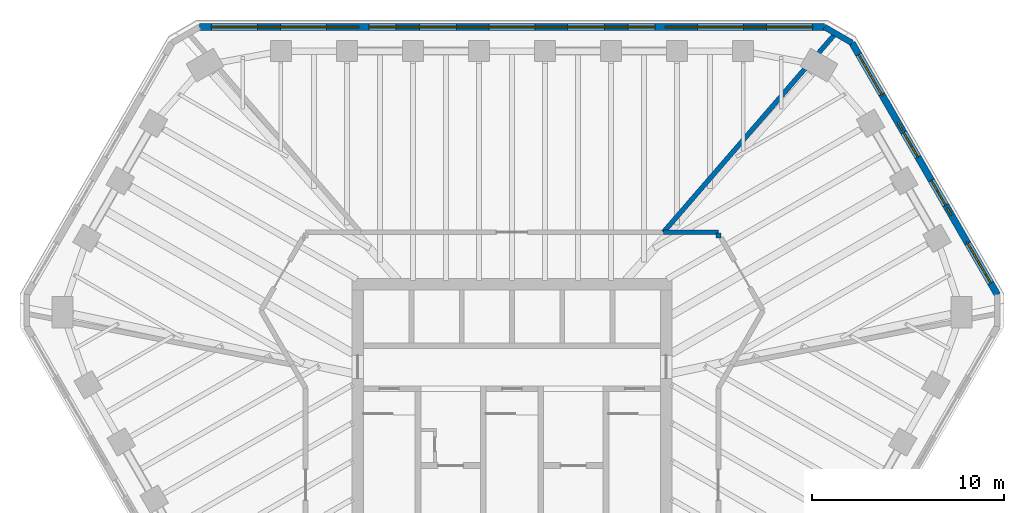
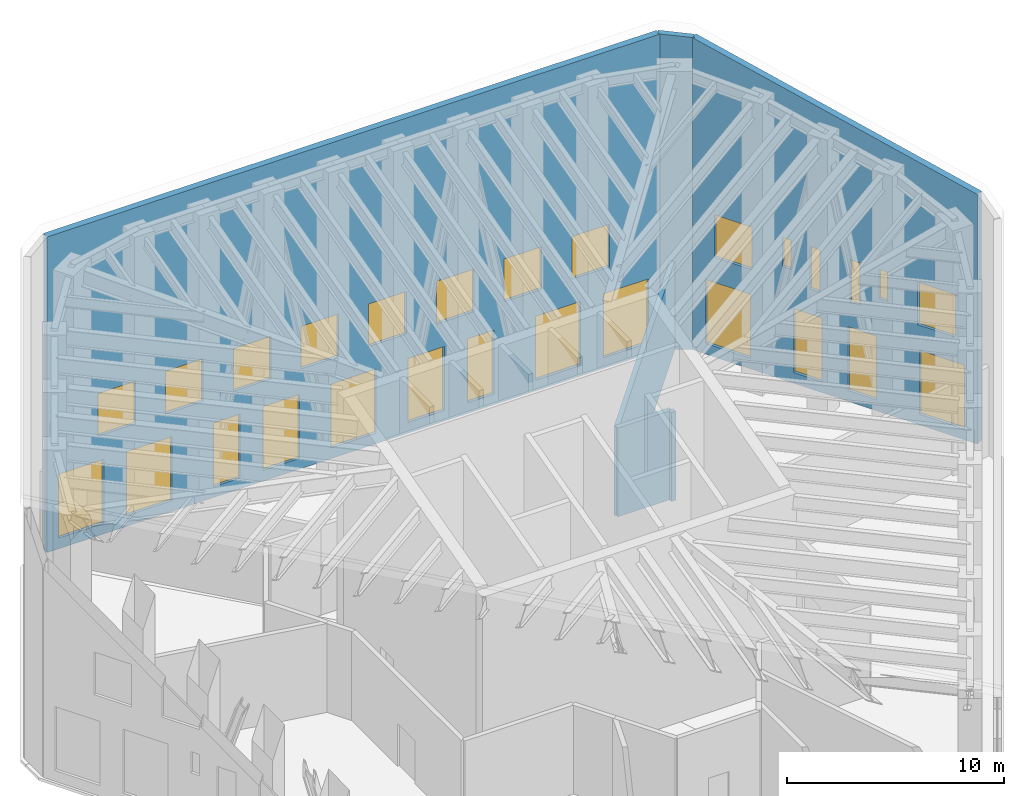
# One storey, part 8 of 9: 27 windows, 6 walls, 27 openings.
"""IFC4 building model written with IfcOpenShell, lengths in metres."""

from ifc_helpers import new_model, si_unit, direction, frame, frame_2d, origin, place, context, subcontext, project, spatial, polyline, rectangle, outline, extrude, material, layer, layer_set, type_object, element, fill, save


model = new_model("IFC4")

# Units and contexts
model_context = context("Model", 3, precision=1e-05, world=origin(), true_north=direction((0.0, 1.0)))
body_context = subcontext(model_context, "Body", "Model", "MODEL_VIEW")
ifc_project = project(units=[si_unit("LENGTHUNIT", "METRE"), si_unit("AREAUNIT", "SQUARE_METRE"), si_unit("VOLUMEUNIT", "CUBIC_METRE"), si_unit("PLANEANGLEUNIT", "RADIAN"), si_unit("MASSUNIT", "GRAM", prefix="KILO")], contexts=[model_context])

# Site, building, storey
site_placement = place(None, origin())
site = spatial("IfcSite", under=ifc_project, at=site_placement, CompositionType="ELEMENT")
building_placement = place(site_placement, origin())
building = spatial("IfcBuilding", under=site, at=building_placement, Name="Sandreach Pilgrim Tower", CompositionType="ELEMENT")
storey_placement = place(building_placement, frame((0.0, 0.0, 298.800048828125)))
storey = spatial("IfcBuildingStorey", under=building, at=storey_placement, Name="L75", CompositionType="ELEMENT", Elevation=298.800048828125)

# Wall, openings, windows
ifc_material_1 = material(Name="Terracotta rainscreen on steel studs", Category="masonry")
ifc_layer_1 = layer(ifc_material_1, 0.35009765625)
ifc_layer_set_1 = layer_set([ifc_layer_1], Name="Crown screen wall")
wall_type_1 = type_object("IfcWallType", Name="Crown screen wall", PredefinedType="SOLIDWALL", material=ifc_layer_set_1)
wall_1_placement = place(storey_placement, frame((-16.29833984375, 19.826416015625, 0.0), z_axis=(0.0, 0.0, 1.0), x_axis=(1.0, 0.0, 0.0)))
wall_1 = element("IfcWall", 1, at=wall_1_placement, inside=storey, type_object=wall_type_1, Name="Crown screen wall L75 N", PredefinedType="SOLIDWALL", context=body_context, shape_type="SweptSolid", body=[
    extrude(outline(polyline([(0.0, 0.0), (32.5966796875, 0.0), (32.5966796875, 17.747802734375), (0.0, 17.747802734375), (0.0, 0.0)])), frame((0.0, 0.175048828125, 0.0), z_axis=(0.0, -1.0, 0.0), x_axis=(1.0, 0.0, 0.0)), (0.0, 0.0, 1.0), 0.35009765625),
])
opening_1_placement = place(wall_1_placement, frame((0.61083984375, 0.0, 0.60009765625)))
opening_1 = element("IfcOpeningElement", 2, at=opening_1_placement, cuts=wall_1, Name="Opening WL2", PredefinedType="OPENING", context=body_context, shape_type="SweptSolid", body=[
    extrude(rectangle(XDim=2.39990234375, YDim=3.60009765625, at=frame_2d((1.199951171875, 1.800048828125))), frame((0.0, 0.18505859375, 0.0), z_axis=(0.0, -1.0, 0.0), x_axis=(1.0, 0.0, 0.0)), (0.0, 0.0, 1.0), 0.3701171875),
])
opening_2_placement = place(wall_1_placement, frame((4.23291015625, 0.0, 0.60009765625)))
opening_2 = element("IfcOpeningElement", 3, at=opening_2_placement, cuts=wall_1, Name="Opening WL2", PredefinedType="OPENING", context=body_context, shape_type="SweptSolid", body=[
    extrude(rectangle(XDim=2.39990234375, YDim=3.60009765625, at=frame_2d((1.199951171875, 1.800048828125))), frame((0.0, 0.18505859375, 0.0), z_axis=(0.0, -1.0, 0.0), x_axis=(1.0, 0.0, 0.0)), (0.0, 0.0, 1.0), 0.3701171875),
])
opening_3_placement = place(wall_1_placement, frame((8.845947265625, 0.0, 0.60107421875)))
opening_3 = element("IfcOpeningElement", 4, at=opening_3_placement, cuts=wall_1, Name="Opening WL2", PredefinedType="OPENING", context=body_context, shape_type="SweptSolid", body=[
    extrude(rectangle(XDim=1.407958984375, YDim=3.59912109375, at=frame_2d((0.7041015625, 1.799560546875))), frame((0.0, 0.18505859375, 0.0), z_axis=(0.0, -1.0, 0.0), x_axis=(1.0, 0.0, 0.0)), (0.0, 0.0, 1.0), 0.3701171875),
])
opening_4_placement = place(wall_1_placement, frame((11.47705078125, 0.0, 0.60107421875)))
opening_4 = element("IfcOpeningElement", 5, at=opening_4_placement, cuts=wall_1, Name="Opening WL2", PredefinedType="OPENING", context=body_context, shape_type="SweptSolid", body=[
    extrude(rectangle(XDim=1.93798828125, YDim=3.59912109375, at=frame_2d((0.968994140625, 1.799560546875))), frame((0.0, 0.18505859375, 0.0), z_axis=(0.0, -1.0, 0.0), x_axis=(1.0, 0.0, 0.0)), (0.0, 0.0, 1.0), 0.3701171875),
])
opening_5_placement = place(wall_1_placement, frame((15.098388671875, 0.0, 0.60009765625)))
opening_5 = element("IfcOpeningElement", 6, at=opening_5_placement, cuts=wall_1, Name="Opening WL2", PredefinedType="OPENING", context=body_context, shape_type="SweptSolid", body=[
    extrude(rectangle(XDim=2.39990234375, YDim=3.60009765625, at=frame_2d((1.199951171875, 1.800048828125))), frame((0.0, 0.18505859375, 0.0), z_axis=(0.0, -1.0, 0.0), x_axis=(1.0, 0.0, 0.0)), (0.0, 0.0, 1.0), 0.3701171875),
])
opening_6_placement = place(wall_1_placement, frame((19.180908203125, 0.0, 0.60107421875)))
opening_6 = element("IfcOpeningElement", 7, at=opening_6_placement, cuts=wall_1, Name="Opening WL2", PredefinedType="OPENING", context=body_context, shape_type="SweptSolid", body=[
    extrude(rectangle(XDim=1.93896484375, YDim=3.59912109375, at=frame_2d((0.969482421875, 1.799560546875))), frame((0.0, 0.18505859375, 0.0), z_axis=(0.0, -1.0, 0.0), x_axis=(1.0, 0.0, 0.0)), (0.0, 0.0, 1.0), 0.3701171875),
])
opening_7_placement = place(wall_1_placement, frame((22.343017578125, 0.0, 0.60107421875)))
opening_7 = element("IfcOpeningElement", 8, at=opening_7_placement, cuts=wall_1, Name="Opening WL2", PredefinedType="OPENING", context=body_context, shape_type="SweptSolid", body=[
    extrude(rectangle(XDim=1.406982421875, YDim=3.59912109375, at=frame_2d((0.70361328125, 1.799560546875))), frame((0.0, 0.18505859375, 0.0), z_axis=(0.0, -1.0, 0.0), x_axis=(1.0, 0.0, 0.0)), (0.0, 0.0, 1.0), 0.3701171875),
])
opening_8_placement = place(wall_1_placement, frame((25.9638671875, 0.0, 0.60009765625)))
opening_8 = element("IfcOpeningElement", 9, at=opening_8_placement, cuts=wall_1, Name="Opening WL2", PredefinedType="OPENING", context=body_context, shape_type="SweptSolid", body=[
    extrude(rectangle(XDim=2.39990234375, YDim=3.60009765625, at=frame_2d((1.199951171875, 1.800048828125))), frame((0.0, 0.18505859375, 0.0), z_axis=(0.0, -1.0, 0.0), x_axis=(1.0, 0.0, 0.0)), (0.0, 0.0, 1.0), 0.3701171875),
])
opening_9_placement = place(wall_1_placement, frame((29.5859375, 0.0, 0.60009765625)))
opening_9 = element("IfcOpeningElement", 10, at=opening_9_placement, cuts=wall_1, Name="Opening WL2", PredefinedType="OPENING", context=body_context, shape_type="SweptSolid", body=[
    extrude(rectangle(XDim=2.39990234375, YDim=3.60009765625, at=frame_2d((1.199951171875, 1.800048828125))), frame((0.0, 0.18505859375, 0.0), z_axis=(0.0, -1.0, 0.0), x_axis=(1.0, 0.0, 0.0)), (0.0, 0.0, 1.0), 0.3701171875),
])
opening_10_placement = place(wall_1_placement, frame((2.698486328125, 0.0, 5.60009765625)))
opening_10 = element("IfcOpeningElement", 11, at=opening_10_placement, cuts=wall_1, Name="Opening WL1", PredefinedType="OPENING", context=body_context, shape_type="SweptSolid", body=[
    extrude(rectangle(XDim=2.0, YDim=2.39990234375, at=frame_2d((1.0, 1.199951171875))), frame((0.0, 0.18505859375, 0.0), z_axis=(0.0, -1.0, 0.0), x_axis=(1.0, 0.0, 0.0)), (0.0, 0.0, 1.0), 0.3701171875),
])
opening_11_placement = place(wall_1_placement, frame((6.29833984375, 0.0, 5.60009765625)))
opening_11 = element("IfcOpeningElement", 12, at=opening_11_placement, cuts=wall_1, Name="Opening WL1", PredefinedType="OPENING", context=body_context, shape_type="SweptSolid", body=[
    extrude(rectangle(XDim=2.0, YDim=2.39990234375, at=frame_2d((1.0, 1.199951171875))), frame((0.0, 0.18505859375, 0.0), z_axis=(0.0, -1.0, 0.0), x_axis=(1.0, 0.0, 0.0)), (0.0, 0.0, 1.0), 0.3701171875),
])
opening_12_placement = place(wall_1_placement, frame((9.8984375, 0.0, 5.60009765625)))
opening_12 = element("IfcOpeningElement", 13, at=opening_12_placement, cuts=wall_1, Name="Opening WL1", PredefinedType="OPENING", context=body_context, shape_type="SweptSolid", body=[
    extrude(rectangle(XDim=2.0, YDim=2.39990234375, at=frame_2d((1.0, 1.199951171875))), frame((0.0, 0.18505859375, 0.0), z_axis=(0.0, -1.0, 0.0), x_axis=(1.0, 0.0, 0.0)), (0.0, 0.0, 1.0), 0.3701171875),
])
opening_13_placement = place(wall_1_placement, frame((13.498291015625, 0.0, 5.60009765625)))
opening_13 = element("IfcOpeningElement", 14, at=opening_13_placement, cuts=wall_1, Name="Opening WL1", PredefinedType="OPENING", context=body_context, shape_type="SweptSolid", body=[
    extrude(rectangle(XDim=2.0, YDim=2.39990234375, at=frame_2d((1.0, 1.199951171875))), frame((0.0, 0.18505859375, 0.0), z_axis=(0.0, -1.0, 0.0), x_axis=(1.0, 0.0, 0.0)), (0.0, 0.0, 1.0), 0.3701171875),
])
opening_14_placement = place(wall_1_placement, frame((17.098388671875, 0.0, 5.60009765625)))
opening_14 = element("IfcOpeningElement", 15, at=opening_14_placement, cuts=wall_1, Name="Opening WL1", PredefinedType="OPENING", context=body_context, shape_type="SweptSolid", body=[
    extrude(rectangle(XDim=2.0, YDim=2.39990234375, at=frame_2d((1.0, 1.199951171875))), frame((0.0, 0.18505859375, 0.0), z_axis=(0.0, -1.0, 0.0), x_axis=(1.0, 0.0, 0.0)), (0.0, 0.0, 1.0), 0.3701171875),
])
opening_15_placement = place(wall_1_placement, frame((20.698486328125, 0.0, 5.60009765625)))
opening_15 = element("IfcOpeningElement", 16, at=opening_15_placement, cuts=wall_1, Name="Opening WL1", PredefinedType="OPENING", context=body_context, shape_type="SweptSolid", body=[
    extrude(rectangle(XDim=2.0, YDim=2.39990234375, at=frame_2d((1.0, 1.199951171875))), frame((0.0, 0.18505859375, 0.0), z_axis=(0.0, -1.0, 0.0), x_axis=(1.0, 0.0, 0.0)), (0.0, 0.0, 1.0), 0.3701171875),
])
opening_16_placement = place(wall_1_placement, frame((24.29833984375, 0.0, 5.60009765625)))
opening_16 = element("IfcOpeningElement", 17, at=opening_16_placement, cuts=wall_1, Name="Opening WL1", PredefinedType="OPENING", context=body_context, shape_type="SweptSolid", body=[
    extrude(rectangle(XDim=2.0, YDim=2.39990234375, at=frame_2d((1.0, 1.199951171875))), frame((0.0, 0.18505859375, 0.0), z_axis=(0.0, -1.0, 0.0), x_axis=(1.0, 0.0, 0.0)), (0.0, 0.0, 1.0), 0.3701171875),
])
opening_17_placement = place(wall_1_placement, frame((27.8984375, 0.0, 5.60009765625)))
opening_17 = element("IfcOpeningElement", 18, at=opening_17_placement, cuts=wall_1, Name="Opening WL1", PredefinedType="OPENING", context=body_context, shape_type="SweptSolid", body=[
    extrude(rectangle(XDim=2.0, YDim=2.39990234375, at=frame_2d((1.0, 1.199951171875))), frame((0.0, 0.18505859375, 0.0), z_axis=(0.0, -1.0, 0.0), x_axis=(1.0, 0.0, 0.0)), (0.0, 0.0, 1.0), 0.3701171875),
])
ifc_material_2 = material(Name="Aluminium weather louvre", Category="aluminium")
window_type_1 = type_object("IfcWindowType", Name="Crown louvre window", PartitioningType="SINGLE_PANEL", PredefinedType="WINDOW", material=ifc_material_2)
window_1_placement = place(opening_10_placement, origin())
window_1 = element("IfcWindow", 19, at=window_1_placement, inside=storey, type_object=window_type_1, Name="Crown louvre N 1", OverallHeight=2.39990234375, OverallWidth=2.0, PartitioningType="SINGLE_PANEL", PredefinedType="WINDOW", context=body_context, shape_type="SweptSolid", body=[
    extrude(rectangle(XDim=2.0, YDim=2.39990234375, at=frame_2d((1.0, 1.199951171875))), frame((0.0, 0.030029296875, 0.0), z_axis=(0.0, -1.0, 0.0), x_axis=(1.0, 0.0, 0.0)), (0.0, 0.0, 1.0), 0.06005859375),
])
fill(opening_10, window_1)
window_2_placement = place(opening_11_placement, origin())
window_2 = element("IfcWindow", 20, at=window_2_placement, inside=storey, type_object=window_type_1, Name="Crown louvre N 2", OverallHeight=2.39990234375, OverallWidth=2.0, PartitioningType="SINGLE_PANEL", PredefinedType="WINDOW", context=body_context, shape_type="SweptSolid", body=[
    extrude(rectangle(XDim=2.0, YDim=2.39990234375, at=frame_2d((1.0, 1.199951171875))), frame((0.0, 0.030029296875, 0.0), z_axis=(0.0, -1.0, 0.0), x_axis=(1.0, 0.0, 0.0)), (0.0, 0.0, 1.0), 0.06005859375),
])
fill(opening_11, window_2)
window_3_placement = place(opening_12_placement, origin())
window_3 = element("IfcWindow", 21, at=window_3_placement, inside=storey, type_object=window_type_1, Name="Crown louvre N 3", OverallHeight=2.39990234375, OverallWidth=2.0, PartitioningType="SINGLE_PANEL", PredefinedType="WINDOW", context=body_context, shape_type="SweptSolid", body=[
    extrude(rectangle(XDim=2.0, YDim=2.39990234375, at=frame_2d((1.0, 1.199951171875))), frame((0.0, 0.030029296875, 0.0), z_axis=(0.0, -1.0, 0.0), x_axis=(1.0, 0.0, 0.0)), (0.0, 0.0, 1.0), 0.06005859375),
])
fill(opening_12, window_3)
window_4_placement = place(opening_13_placement, origin())
window_4 = element("IfcWindow", 22, at=window_4_placement, inside=storey, type_object=window_type_1, Name="Crown louvre N 4", OverallHeight=2.39990234375, OverallWidth=2.0, PartitioningType="SINGLE_PANEL", PredefinedType="WINDOW", context=body_context, shape_type="SweptSolid", body=[
    extrude(rectangle(XDim=2.0, YDim=2.39990234375, at=frame_2d((1.0, 1.199951171875))), frame((0.0, 0.030029296875, 0.0), z_axis=(0.0, -1.0, 0.0), x_axis=(1.0, 0.0, 0.0)), (0.0, 0.0, 1.0), 0.06005859375),
])
fill(opening_13, window_4)
window_5_placement = place(opening_14_placement, origin())
window_5 = element("IfcWindow", 23, at=window_5_placement, inside=storey, type_object=window_type_1, Name="Crown louvre N 5", OverallHeight=2.39990234375, OverallWidth=2.0, PartitioningType="SINGLE_PANEL", PredefinedType="WINDOW", context=body_context, shape_type="SweptSolid", body=[
    extrude(rectangle(XDim=2.0, YDim=2.39990234375, at=frame_2d((1.0, 1.199951171875))), frame((0.0, 0.030029296875, 0.0), z_axis=(0.0, -1.0, 0.0), x_axis=(1.0, 0.0, 0.0)), (0.0, 0.0, 1.0), 0.06005859375),
])
fill(opening_14, window_5)
window_6_placement = place(opening_15_placement, origin())
window_6 = element("IfcWindow", 24, at=window_6_placement, inside=storey, type_object=window_type_1, Name="Crown louvre N 6", OverallHeight=2.39990234375, OverallWidth=2.0, PartitioningType="SINGLE_PANEL", PredefinedType="WINDOW", context=body_context, shape_type="SweptSolid", body=[
    extrude(rectangle(XDim=2.0, YDim=2.39990234375, at=frame_2d((1.0, 1.199951171875))), frame((0.0, 0.030029296875, 0.0), z_axis=(0.0, -1.0, 0.0), x_axis=(1.0, 0.0, 0.0)), (0.0, 0.0, 1.0), 0.06005859375),
])
fill(opening_15, window_6)
window_7_placement = place(opening_16_placement, origin())
window_7 = element("IfcWindow", 25, at=window_7_placement, inside=storey, type_object=window_type_1, Name="Crown louvre N 7", OverallHeight=2.39990234375, OverallWidth=2.0, PartitioningType="SINGLE_PANEL", PredefinedType="WINDOW", context=body_context, shape_type="SweptSolid", body=[
    extrude(rectangle(XDim=2.0, YDim=2.39990234375, at=frame_2d((1.0, 1.199951171875))), frame((0.0, 0.030029296875, 0.0), z_axis=(0.0, -1.0, 0.0), x_axis=(1.0, 0.0, 0.0)), (0.0, 0.0, 1.0), 0.06005859375),
])
fill(opening_16, window_7)
window_8_placement = place(opening_17_placement, origin())
window_8 = element("IfcWindow", 26, at=window_8_placement, inside=storey, type_object=window_type_1, Name="Crown louvre N 8", OverallHeight=2.39990234375, OverallWidth=2.0, PartitioningType="SINGLE_PANEL", PredefinedType="WINDOW", context=body_context, shape_type="SweptSolid", body=[
    extrude(rectangle(XDim=2.0, YDim=2.39990234375, at=frame_2d((1.0, 1.199951171875))), frame((0.0, 0.030029296875, 0.0), z_axis=(0.0, -1.0, 0.0), x_axis=(1.0, 0.0, 0.0)), (0.0, 0.0, 1.0), 0.06005859375),
])
fill(opening_17, window_8)
ifc_material_3 = material(Name="Aluminium weather louvre", Category="aluminium")
window_type_2 = type_object("IfcWindowType", Name="Plant louvre window", PartitioningType="SINGLE_PANEL", PredefinedType="WINDOW", material=ifc_material_3)
window_9_placement = place(opening_1_placement, origin())
window_9 = element("IfcWindow", 27, at=window_9_placement, inside=storey, type_object=window_type_2, Name="Plant louvre N 1", OverallHeight=3.60009765625, OverallWidth=2.39990234375, PartitioningType="SINGLE_PANEL", PredefinedType="WINDOW", context=body_context, shape_type="SweptSolid", body=[
    extrude(rectangle(XDim=2.39990234375, YDim=3.60009765625, at=frame_2d((1.199951171875, 1.800048828125))), frame((0.0, 0.030029296875, 0.0), z_axis=(0.0, -1.0, 0.0), x_axis=(1.0, 0.0, 0.0)), (0.0, 0.0, 1.0), 0.06005859375),
])
fill(opening_1, window_9)
window_10_placement = place(opening_2_placement, origin())
window_10 = element("IfcWindow", 28, at=window_10_placement, inside=storey, type_object=window_type_2, Name="Plant louvre N 2", OverallHeight=3.60009765625, OverallWidth=2.39990234375, PartitioningType="SINGLE_PANEL", PredefinedType="WINDOW", context=body_context, shape_type="SweptSolid", body=[
    extrude(rectangle(XDim=2.39990234375, YDim=3.60009765625, at=frame_2d((1.199951171875, 1.800048828125))), frame((0.0, 0.030029296875, 0.0), z_axis=(0.0, -1.0, 0.0), x_axis=(1.0, 0.0, 0.0)), (0.0, 0.0, 1.0), 0.06005859375),
])
fill(opening_2, window_10)
window_11_placement = place(opening_3_placement, origin())
window_11 = element("IfcWindow", 29, at=window_11_placement, inside=storey, type_object=window_type_2, Name="Plant louvre N 3", OverallHeight=3.59912109375, OverallWidth=1.407958984375, PartitioningType="SINGLE_PANEL", PredefinedType="WINDOW", context=body_context, shape_type="SweptSolid", body=[
    extrude(rectangle(XDim=1.407958984375, YDim=3.59912109375, at=frame_2d((0.7041015625, 1.799560546875))), frame((0.0, 0.030029296875, 0.0), z_axis=(0.0, -1.0, 0.0), x_axis=(1.0, 0.0, 0.0)), (0.0, 0.0, 1.0), 0.06005859375),
])
fill(opening_3, window_11)
window_12_placement = place(opening_4_placement, origin())
window_12 = element("IfcWindow", 30, at=window_12_placement, inside=storey, type_object=window_type_2, Name="Plant louvre N 4", OverallHeight=3.59912109375, OverallWidth=1.93798828125, PartitioningType="SINGLE_PANEL", PredefinedType="WINDOW", context=body_context, shape_type="SweptSolid", body=[
    extrude(rectangle(XDim=1.93798828125, YDim=3.59912109375, at=frame_2d((0.968994140625, 1.799560546875))), frame((0.0, 0.030029296875, 0.0), z_axis=(0.0, -1.0, 0.0), x_axis=(1.0, 0.0, 0.0)), (0.0, 0.0, 1.0), 0.06005859375),
])
fill(opening_4, window_12)
window_13_placement = place(opening_5_placement, origin())
window_13 = element("IfcWindow", 31, at=window_13_placement, inside=storey, type_object=window_type_2, Name="Plant louvre N 5", OverallHeight=3.60009765625, OverallWidth=2.39990234375, PartitioningType="SINGLE_PANEL", PredefinedType="WINDOW", context=body_context, shape_type="SweptSolid", body=[
    extrude(rectangle(XDim=2.39990234375, YDim=3.60009765625, at=frame_2d((1.199951171875, 1.800048828125))), frame((0.0, 0.030029296875, 0.0), z_axis=(0.0, -1.0, 0.0), x_axis=(1.0, 0.0, 0.0)), (0.0, 0.0, 1.0), 0.06005859375),
])
fill(opening_5, window_13)
window_14_placement = place(opening_6_placement, origin())
window_14 = element("IfcWindow", 32, at=window_14_placement, inside=storey, type_object=window_type_2, Name="Plant louvre N 6", OverallHeight=3.59912109375, OverallWidth=1.93896484375, PartitioningType="SINGLE_PANEL", PredefinedType="WINDOW", context=body_context, shape_type="SweptSolid", body=[
    extrude(rectangle(XDim=1.93896484375, YDim=3.59912109375, at=frame_2d((0.969482421875, 1.799560546875))), frame((0.0, 0.030029296875, 0.0), z_axis=(0.0, -1.0, 0.0), x_axis=(1.0, 0.0, 0.0)), (0.0, 0.0, 1.0), 0.06005859375),
])
fill(opening_6, window_14)
window_15_placement = place(opening_7_placement, origin())
window_15 = element("IfcWindow", 33, at=window_15_placement, inside=storey, type_object=window_type_2, Name="Plant louvre N 7", OverallHeight=3.59912109375, OverallWidth=1.406982421875, PartitioningType="SINGLE_PANEL", PredefinedType="WINDOW", context=body_context, shape_type="SweptSolid", body=[
    extrude(rectangle(XDim=1.406982421875, YDim=3.59912109375, at=frame_2d((0.70361328125, 1.799560546875))), frame((0.0, 0.030029296875, 0.0), z_axis=(0.0, -1.0, 0.0), x_axis=(1.0, 0.0, 0.0)), (0.0, 0.0, 1.0), 0.06005859375),
])
fill(opening_7, window_15)
window_16_placement = place(opening_8_placement, origin())
window_16 = element("IfcWindow", 34, at=window_16_placement, inside=storey, type_object=window_type_2, Name="Plant louvre N 8", OverallHeight=3.60009765625, OverallWidth=2.39990234375, PartitioningType="SINGLE_PANEL", PredefinedType="WINDOW", context=body_context, shape_type="SweptSolid", body=[
    extrude(rectangle(XDim=2.39990234375, YDim=3.60009765625, at=frame_2d((1.199951171875, 1.800048828125))), frame((0.0, 0.030029296875, 0.0), z_axis=(0.0, -1.0, 0.0), x_axis=(1.0, 0.0, 0.0)), (0.0, 0.0, 1.0), 0.06005859375),
])
fill(opening_8, window_16)
window_17_placement = place(opening_9_placement, origin())
window_17 = element("IfcWindow", 35, at=window_17_placement, inside=storey, type_object=window_type_2, Name="Plant louvre N 9", OverallHeight=3.60009765625, OverallWidth=2.39990234375, PartitioningType="SINGLE_PANEL", PredefinedType="WINDOW", context=body_context, shape_type="SweptSolid", body=[
    extrude(rectangle(XDim=2.39990234375, YDim=3.60009765625, at=frame_2d((1.199951171875, 1.800048828125))), frame((0.0, 0.030029296875, 0.0), z_axis=(0.0, -1.0, 0.0), x_axis=(1.0, 0.0, 0.0)), (0.0, 0.0, 1.0), 0.06005859375),
])
fill(opening_9, window_17)

wall_2_placement = place(storey_placement, frame((17.736083984375, 18.996337890625, 0.0), z_axis=(0.0, 0.0, 1.0), x_axis=(0.499994633804, -0.866028501937, 0.0)))
wall_2 = element("IfcWall", 36, at=wall_2_placement, inside=storey, type_object=wall_type_1, Name="Crown screen wall L75 NE", PredefinedType="SOLIDWALL", context=body_context, shape_type="SweptSolid", body=[
    extrude(outline(polyline([(0.0, 0.0), (15.166748046875, 0.0), (15.166748046875, 14.029296875), (0.0, 17.548828125), (0.0, 0.0)])), frame((0.0, 0.175048828125, 0.0), z_axis=(0.0, -1.0, 0.0), x_axis=(1.0, 0.0, 0.0)), (0.0, 0.0, 1.0), 0.35009765625),
])
opening_18_placement = place(wall_2_placement, frame((0.69580078125, 0.0, 0.60009765625)))
opening_18 = element("IfcOpeningElement", 37, at=opening_18_placement, cuts=wall_2, Name="Opening WL2", PredefinedType="OPENING", context=body_context, shape_type="SweptSolid", body=[
    extrude(rectangle(XDim=2.39990234375, YDim=3.60009765625, at=frame_2d((1.199951171875, 1.800048828125))), frame((0.0, 0.18505859375, 0.0), z_axis=(0.0, -1.0, 0.0), x_axis=(1.0, 0.0, 0.0)), (0.0, 0.0, 1.0), 0.3701171875),
])
opening_19_placement = place(wall_2_placement, frame((5.385009765625, 0.0, 0.60107421875)))
opening_19 = element("IfcOpeningElement", 38, at=opening_19_placement, cuts=wall_2, Name="Opening WL2", PredefinedType="OPENING", context=body_context, shape_type="SweptSolid", body=[
    extrude(rectangle(XDim=1.501953125, YDim=3.59912109375, at=frame_2d((0.7509765625, 1.799560546875))), frame((0.0, 0.18505859375, 0.0), z_axis=(0.0, -1.0, 0.0), x_axis=(1.0, 0.0, 0.0)), (0.0, 0.0, 1.0), 0.3701171875),
])
opening_20_placement = place(wall_2_placement, frame((8.280029296875, 0.0, 0.60107421875)))
opening_20 = element("IfcOpeningElement", 39, at=opening_20_placement, cuts=wall_2, Name="Opening WL2", PredefinedType="OPENING", context=body_context, shape_type="SweptSolid", body=[
    extrude(rectangle(XDim=1.5009765625, YDim=3.59912109375, at=frame_2d((0.75048828125, 1.799560546875))), frame((0.0, 0.18505859375, 0.0), z_axis=(0.0, -1.0, 0.0), x_axis=(1.0, 0.0, 0.0)), (0.0, 0.0, 1.0), 0.3701171875),
])
opening_21_placement = place(wall_2_placement, frame((12.071044921875, 0.0, 0.60009765625)))
opening_21 = element("IfcOpeningElement", 40, at=opening_21_placement, cuts=wall_2, Name="Opening WL2", PredefinedType="OPENING", context=body_context, shape_type="SweptSolid", body=[
    extrude(rectangle(XDim=2.39990234375, YDim=3.60009765625, at=frame_2d((1.199951171875, 1.800048828125))), frame((0.0, 0.18505859375, 0.0), z_axis=(0.0, -1.0, 0.0), x_axis=(1.0, 0.0, 0.0)), (0.0, 0.0, 1.0), 0.3701171875),
])
opening_22_placement = place(wall_2_placement, frame((1.183349609375, 0.0, 5.60009765625)))
opening_22 = element("IfcOpeningElement", 41, at=opening_22_placement, cuts=wall_2, Name="Opening WL1", PredefinedType="OPENING", context=body_context, shape_type="SweptSolid", body=[
    extrude(rectangle(XDim=2.0, YDim=2.39990234375, at=frame_2d((1.0, 1.199951171875))), frame((0.0, 0.18505859375, 0.0), z_axis=(0.0, -1.0, 0.0), x_axis=(1.0, 0.0, 0.0)), (0.0, 0.0, 1.0), 0.3701171875),
])
opening_23_placement = place(wall_2_placement, frame((4.783935546875, 0.0, 6.35107421875)))
opening_23 = element("IfcOpeningElement", 42, at=opening_23_placement, cuts=wall_2, Name="Opening WL1", PredefinedType="OPENING", context=body_context, shape_type="SweptSolid", body=[
    extrude(rectangle(XDim=0.450927734375, YDim=1.64892578125, at=frame_2d((0.2255859375, 0.824462890625))), frame((0.0, 0.18505859375, 0.0), z_axis=(0.0, -1.0, 0.0), x_axis=(1.0, 0.0, 0.0)), (0.0, 0.0, 1.0), 0.3701171875),
])
opening_24_placement = place(wall_2_placement, frame((6.243896484375, 0.0, 5.60107421875)))
opening_24 = element("IfcOpeningElement", 43, at=opening_24_placement, cuts=wall_2, Name="Opening WL1", PredefinedType="OPENING", context=body_context, shape_type="SweptSolid", body=[
    extrude(rectangle(XDim=0.5390625, YDim=2.39892578125, at=frame_2d((0.26953125, 1.199462890625))), frame((0.0, 0.18505859375, 0.0), z_axis=(0.0, -1.0, 0.0), x_axis=(1.0, 0.0, 0.0)), (0.0, 0.0, 1.0), 0.3701171875),
])
opening_25_placement = place(wall_2_placement, frame((8.384033203125, 0.0, 5.60107421875)))
opening_25 = element("IfcOpeningElement", 44, at=opening_25_placement, cuts=wall_2, Name="Opening WL1", PredefinedType="OPENING", context=body_context, shape_type="SweptSolid", body=[
    extrude(rectangle(XDim=0.5380859375, YDim=2.39892578125, at=frame_2d((0.26904296875, 1.199462890625))), frame((0.0, 0.18505859375, 0.0), z_axis=(0.0, -1.0, 0.0), x_axis=(1.0, 0.0, 0.0)), (0.0, 0.0, 1.0), 0.3701171875),
])
opening_26_placement = place(wall_2_placement, frame((9.931884765625, 0.0, 6.35107421875)))
opening_26 = element("IfcOpeningElement", 45, at=opening_26_placement, cuts=wall_2, Name="Opening WL1", PredefinedType="OPENING", context=body_context, shape_type="SweptSolid", body=[
    extrude(rectangle(XDim=0.450927734375, YDim=1.64892578125, at=frame_2d((0.2255859375, 0.824462890625))), frame((0.0, 0.18505859375, 0.0), z_axis=(0.0, -1.0, 0.0), x_axis=(1.0, 0.0, 0.0)), (0.0, 0.0, 1.0), 0.3701171875),
])
opening_27_placement = place(wall_2_placement, frame((11.9833984375, 0.0, 5.60009765625)))
opening_27 = element("IfcOpeningElement", 46, at=opening_27_placement, cuts=wall_2, Name="Opening WL1", PredefinedType="OPENING", context=body_context, shape_type="SweptSolid", body=[
    extrude(rectangle(XDim=2.0, YDim=2.39990234375, at=frame_2d((1.0, 1.199951171875))), frame((0.0, 0.18505859375, 0.0), z_axis=(0.0, -1.0, 0.0), x_axis=(1.0, 0.0, 0.0)), (0.0, 0.0, 1.0), 0.3701171875),
])
window_18_placement = place(opening_22_placement, origin())
window_18 = element("IfcWindow", 47, at=window_18_placement, inside=storey, type_object=window_type_1, Name="Crown louvre NE 1", OverallHeight=2.39990234375, OverallWidth=2.0, PartitioningType="SINGLE_PANEL", PredefinedType="WINDOW", context=body_context, shape_type="SweptSolid", body=[
    extrude(rectangle(XDim=2.0, YDim=2.39990234375, at=frame_2d((1.0, 1.199951171875))), frame((0.0, 0.030029296875, 0.0), z_axis=(0.0, -1.0, 0.0), x_axis=(1.0, 0.0, 0.0)), (0.0, 0.0, 1.0), 0.06005859375),
])
fill(opening_22, window_18)
window_19_placement = place(opening_23_placement, origin())
window_19 = element("IfcWindow", 48, at=window_19_placement, inside=storey, type_object=window_type_1, Name="Crown louvre NE 2 (b)", OverallHeight=1.64892578125, OverallWidth=0.450927734375, PartitioningType="SINGLE_PANEL", PredefinedType="WINDOW", context=body_context, shape_type="SweptSolid", body=[
    extrude(rectangle(XDim=0.450927734375, YDim=1.64892578125, at=frame_2d((0.2255859375, 0.824462890625))), frame((0.0, 0.030029296875, 0.0), z_axis=(0.0, -1.0, 0.0), x_axis=(1.0, 0.0, 0.0)), (0.0, 0.0, 1.0), 0.06005859375),
])
fill(opening_23, window_19)
window_20_placement = place(opening_24_placement, origin())
window_20 = element("IfcWindow", 49, at=window_20_placement, inside=storey, type_object=window_type_1, Name="Crown louvre NE 2", OverallHeight=2.39892578125, OverallWidth=0.5390625, PartitioningType="SINGLE_PANEL", PredefinedType="WINDOW", context=body_context, shape_type="SweptSolid", body=[
    extrude(rectangle(XDim=0.5390625, YDim=2.39892578125, at=frame_2d((0.26953125, 1.199462890625))), frame((0.0, 0.030029296875, 0.0), z_axis=(0.0, -1.0, 0.0), x_axis=(1.0, 0.0, 0.0)), (0.0, 0.0, 1.0), 0.06005859375),
])
fill(opening_24, window_20)
window_21_placement = place(opening_25_placement, origin())
window_21 = element("IfcWindow", 50, at=window_21_placement, inside=storey, type_object=window_type_1, Name="Crown louvre NE 3", OverallHeight=2.39892578125, OverallWidth=0.5380859375, PartitioningType="SINGLE_PANEL", PredefinedType="WINDOW", context=body_context, shape_type="SweptSolid", body=[
    extrude(rectangle(XDim=0.5380859375, YDim=2.39892578125, at=frame_2d((0.26904296875, 1.199462890625))), frame((0.0, 0.030029296875, 0.0), z_axis=(0.0, -1.0, 0.0), x_axis=(1.0, 0.0, 0.0)), (0.0, 0.0, 1.0), 0.06005859375),
])
fill(opening_25, window_21)
window_22_placement = place(opening_26_placement, origin())
window_22 = element("IfcWindow", 51, at=window_22_placement, inside=storey, type_object=window_type_1, Name="Crown louvre NE 3 (b)", OverallHeight=1.64892578125, OverallWidth=0.450927734375, PartitioningType="SINGLE_PANEL", PredefinedType="WINDOW", context=body_context, shape_type="SweptSolid", body=[
    extrude(rectangle(XDim=0.450927734375, YDim=1.64892578125, at=frame_2d((0.2255859375, 0.824462890625))), frame((0.0, 0.030029296875, 0.0), z_axis=(0.0, -1.0, 0.0), x_axis=(1.0, 0.0, 0.0)), (0.0, 0.0, 1.0), 0.06005859375),
])
fill(opening_26, window_22)
window_23_placement = place(opening_27_placement, origin())
window_23 = element("IfcWindow", 52, at=window_23_placement, inside=storey, type_object=window_type_1, Name="Crown louvre NE 4", OverallHeight=2.39990234375, OverallWidth=2.0, PartitioningType="SINGLE_PANEL", PredefinedType="WINDOW", context=body_context, shape_type="SweptSolid", body=[
    extrude(rectangle(XDim=2.0, YDim=2.39990234375, at=frame_2d((1.0, 1.199951171875))), frame((0.0, 0.030029296875, 0.0), z_axis=(0.0, -1.0, 0.0), x_axis=(1.0, 0.0, 0.0)), (0.0, 0.0, 1.0), 0.06005859375),
])
fill(opening_27, window_23)
window_24_placement = place(opening_18_placement, origin())
window_24 = element("IfcWindow", 53, at=window_24_placement, inside=storey, type_object=window_type_2, Name="Plant louvre NE 1", OverallHeight=3.60009765625, OverallWidth=2.39990234375, PartitioningType="SINGLE_PANEL", PredefinedType="WINDOW", context=body_context, shape_type="SweptSolid", body=[
    extrude(rectangle(XDim=2.39990234375, YDim=3.60009765625, at=frame_2d((1.199951171875, 1.800048828125))), frame((0.0, 0.030029296875, 0.0), z_axis=(0.0, -1.0, 0.0), x_axis=(1.0, 0.0, 0.0)), (0.0, 0.0, 1.0), 0.06005859375),
])
fill(opening_18, window_24)
window_25_placement = place(opening_19_placement, origin())
window_25 = element("IfcWindow", 54, at=window_25_placement, inside=storey, type_object=window_type_2, Name="Plant louvre NE 2", OverallHeight=3.59912109375, OverallWidth=1.501953125, PartitioningType="SINGLE_PANEL", PredefinedType="WINDOW", context=body_context, shape_type="SweptSolid", body=[
    extrude(rectangle(XDim=1.501953125, YDim=3.59912109375, at=frame_2d((0.7509765625, 1.799560546875))), frame((0.0, 0.030029296875, 0.0), z_axis=(0.0, -1.0, 0.0), x_axis=(1.0, 0.0, 0.0)), (0.0, 0.0, 1.0), 0.06005859375),
])
fill(opening_19, window_25)
window_26_placement = place(opening_20_placement, origin())
window_26 = element("IfcWindow", 55, at=window_26_placement, inside=storey, type_object=window_type_2, Name="Plant louvre NE 3", OverallHeight=3.59912109375, OverallWidth=1.5009765625, PartitioningType="SINGLE_PANEL", PredefinedType="WINDOW", context=body_context, shape_type="SweptSolid", body=[
    extrude(rectangle(XDim=1.5009765625, YDim=3.59912109375, at=frame_2d((0.75048828125, 1.799560546875))), frame((0.0, 0.030029296875, 0.0), z_axis=(0.0, -1.0, 0.0), x_axis=(1.0, 0.0, 0.0)), (0.0, 0.0, 1.0), 0.06005859375),
])
fill(opening_20, window_26)
window_27_placement = place(opening_21_placement, origin())
window_27 = element("IfcWindow", 56, at=window_27_placement, inside=storey, type_object=window_type_2, Name="Plant louvre NE 4", OverallHeight=3.60009765625, OverallWidth=2.39990234375, PartitioningType="SINGLE_PANEL", PredefinedType="WINDOW", context=body_context, shape_type="SweptSolid", body=[
    extrude(rectangle(XDim=2.39990234375, YDim=3.60009765625, at=frame_2d((1.199951171875, 1.800048828125))), frame((0.0, 0.030029296875, 0.0), z_axis=(0.0, -1.0, 0.0), x_axis=(1.0, 0.0, 0.0)), (0.0, 0.0, 1.0), 0.06005859375),
])
fill(opening_21, window_27)

# Walls
ifc_material_4 = material(Name="Acoustic gypsum board wall, double frame", Category="gypsum")
ifc_layer_2 = layer(ifc_material_4, 0.25)
ifc_layer_set_2 = layer_set([ifc_layer_2], Name="Hall partition 250")
wall_type_2 = type_object("IfcWallType", Name="Hall partition 250", PredefinedType="PARTITIONING", material=ifc_layer_set_2)
wall_3_placement = place(storey_placement, frame((10.77001953125, 8.830078125, 0.0), z_axis=(0.0, 0.0, 1.0), x_axis=(0.0, 1.0, 0.0)))
element("IfcWall", 57, at=wall_3_placement, inside=storey, type_object=wall_type_2, Name="Hall partition L75-024", PredefinedType="PARTITIONING", context=body_context, shape_type="SweptSolid", body=[
    extrude(rectangle(XDim=0.25, YDim=0.25, at=frame_2d((0.125, 0.0))), origin(), (0.0, 0.0, 1.0), 5.0),
])
wall_4_placement = place(storey_placement, frame((10.77001953125, 9.1201171875, 0.0), z_axis=(0.0, 0.0, 1.0), x_axis=(-1.0, 0.0, 0.0)))
element("IfcWall", 58, at=wall_4_placement, inside=storey, type_object=wall_type_2, Name="Hall partition L75-025", PredefinedType="PARTITIONING", context=body_context, shape_type="SweptSolid", body=[
    extrude(rectangle(XDim=2.8701171875, YDim=0.25, at=frame_2d((1.43505859375, 0.0))), origin(), (0.0, 0.0, 1.0), 5.0),
])
wall_5_placement = place(storey_placement, frame((16.78564453125, 19.38623046875, 0.0), z_axis=(0.0, 0.0, 1.0), x_axis=(-0.654435464846, -0.756117862738, 0.0)))
element("IfcWall", 59, at=wall_5_placement, inside=storey, type_object=wall_type_2, Name="Hall partition L75-028", PredefinedType="PARTITIONING", context=body_context, shape_type="SweptSolid", body=[
    extrude(rectangle(XDim=13.57763671875, YDim=0.25, at=frame_2d((6.788818359375, 0.0))), origin(), (0.0, 0.0, 1.0), 5.0),
])
ifc_material_5 = material(Name="Terracotta rainscreen on concrete", Category="masonry")
ifc_layer_3 = layer(ifc_material_5, 0.300048828125)
ifc_layer_set_3 = layer_set([ifc_layer_3], Name="Terracotta chamfer pier")
wall_type_3 = type_object("IfcWallType", Name="Terracotta chamfer pier", PredefinedType="SOLIDWALL", material=ifc_layer_set_3)
wall_6_placement = place(storey_placement, frame((16.29833984375, 19.826416015625, 0.0), z_axis=(0.0, 0.0, 1.0), x_axis=(0.866026405774, -0.499998264499, 0.0)))
element("IfcWall", 60, at=wall_6_placement, inside=storey, type_object=wall_type_3, Name="Chamfer pier L75 N", PredefinedType="SOLIDWALL", context=body_context, shape_type="SweptSolid", body=[
    extrude(outline(polyline([(0.0, 0.0), (1.66015625, 0.0), (1.659912109375, 17.53759765625), (0.0, 17.759765625), (0.0, 0.0)])), frame((0.0, 0.14990234375, 0.0), z_axis=(0.0, -1.0, 0.0), x_axis=(1.0, 0.0, 0.0)), (0.0, 0.0, 1.0), 0.300048828125),
])

save(model, "model.ifc")
